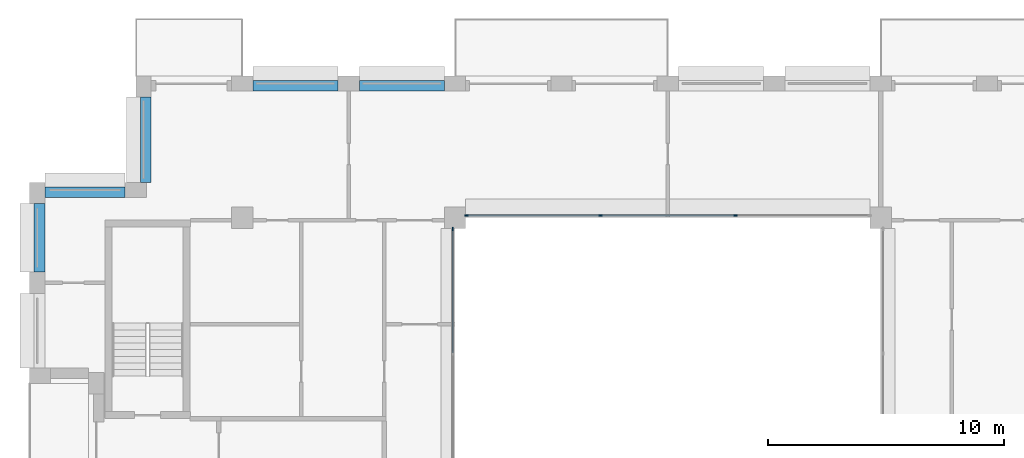
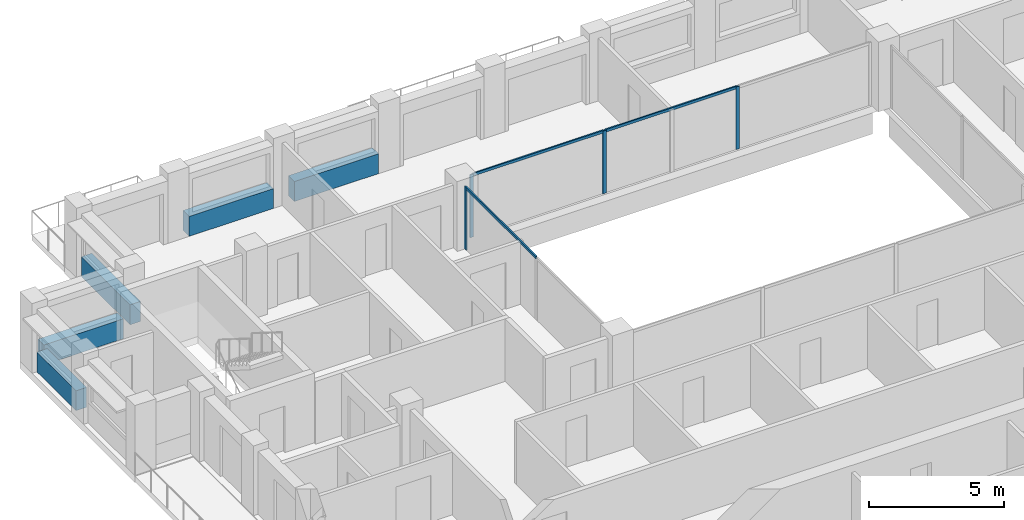
# One storey, part 5 of 15: 7 members, 5 beams, 2 elements without a shape of their own.
"""IFC4 building model written with IfcOpenShell, lengths in metres."""

from ifc_helpers import new_model, si_unit, direction, frame, origin, origin_2d, place, context, subcontext, project, spatial, rectangle, extrude, material, layer, layer_set, material_profile, profile_set, type_object, element, aggregate, save


model = new_model("IFC4")

# Units and contexts
model_context = context("Model", 3, precision=1e-05, world=origin(), true_north=direction((0.0, 1.0)))
body_context = subcontext(model_context, "Body", "Model", "MODEL_VIEW")
ifc_project = project(units=[si_unit("LENGTHUNIT", "METRE"), si_unit("AREAUNIT", "SQUARE_METRE"), si_unit("VOLUMEUNIT", "CUBIC_METRE"), si_unit("PLANEANGLEUNIT", "RADIAN"), si_unit("MASSUNIT", "GRAM", prefix="KILO")], contexts=[model_context])

# Site, building, storey
site_placement = place(None, origin())
site = spatial("IfcSite", under=ifc_project, at=site_placement, CompositionType="ELEMENT")
building_placement = place(site_placement, origin())
building = spatial("IfcBuilding", under=site, at=building_placement, Name="Brigalow Station Residences", CompositionType="ELEMENT")
storey_placement = place(building_placement, frame((0.0, 0.0, 207.449951171875)))
storey = spatial("IfcBuildingStorey", under=building, at=storey_placement, Name="L59", CompositionType="ELEMENT", Elevation=207.449951171875)

# Curtain wall, members
ifc_material_1 = material(Name="Aluminium", Category="aluminium")
ifc_layer = layer(ifc_material_1, 0.14990234375)
ifc_layer_set = layer_set([ifc_layer], Name="ATRIUM FIRE-RATED GLAZING CURTAIN WALL")
curtain_wall_type = type_object("IfcCurtainWallType", Name="ATRIUM FIRE-RATED GLAZING CURTAIN WALL", PredefinedType="NOTDEFINED", material=ifc_layer_set)
curtain_wall_1_placement = place(storey_placement, origin())
curtain_wall_1 = element("IfcCurtainWall", 1, at=curtain_wall_1_placement, inside=storey, type_object=curtain_wall_type, Name="L59/cw/atrium-N", PredefinedType="NOTDEFINED")
ifc_material_2 = material(Name="Aluminium", Category="aluminium")
ifc_material_profile_1 = material_profile(ifc_material_2, rectangle(XDim=0.06005859375, YDim=0.14990234375, at=origin_2d()), Name="ATRIUM FIRE-RATED GLAZING MULLION 60x150")
ifc_profile_set_1 = profile_set([ifc_material_profile_1], Name="Aluminium")
member_type_1 = type_object("IfcMemberType", Name="ATRIUM FIRE-RATED GLAZING MULLION 60x150", PredefinedType="MULLION", material=ifc_profile_set_1)
member_1_placement = place(storey_placement, frame((38.85009765625, 35.60009765625, 0.0), z_axis=(0.0, 0.0, 1.0), x_axis=(0.0, -1.0, 0.0)))
member_1 = element("IfcMember", 2, at=member_1_placement, type_object=member_type_1, Name="L59/cw/atrium-N/M01", PredefinedType="MULLION", context=body_context, shape_type="SweptSolid", body=[
    extrude(rectangle(XDim=0.06005859375, YDim=0.14990234375, at=origin_2d()), origin(), (0.0, 0.0, 1.0), 2.830078125),
])
member_2_placement = place(storey_placement, frame((33.14990234375, 35.60009765625, 0.0), z_axis=(0.0, 0.0, 1.0), x_axis=(0.0, -1.0, 0.0)))
member_2 = element("IfcMember", 3, at=member_2_placement, type_object=member_type_1, Name="L59/cw/atrium-N/M02", PredefinedType="MULLION", context=body_context, shape_type="SweptSolid", body=[
    extrude(rectangle(XDim=0.06005859375, YDim=0.14990234375, at=origin_2d()), origin(), (0.0, 0.0, 1.0), 2.830078125),
])
member_3_placement = place(storey_placement, frame((27.47998046875, 35.60009765625, 0.0), z_axis=(0.0, 0.0, 1.0), x_axis=(0.0, -1.0, 0.0)))
member_3 = element("IfcMember", 4, at=member_3_placement, type_object=member_type_1, Name="L59/cw/atrium-N/M03", PredefinedType="MULLION", context=body_context, shape_type="SweptSolid", body=[
    extrude(rectangle(XDim=0.06005859375, YDim=0.14990234375, at=origin_2d()), origin(), (0.0, 0.0, 1.0), 2.830078125),
])

# Curtain wall, member
curtain_wall_2_placement = place(storey_placement, origin())
curtain_wall_2 = element("IfcCurtainWall", 5, at=curtain_wall_2_placement, inside=storey, type_object=curtain_wall_type, Name="L59/cw/atrium-W", PredefinedType="NOTDEFINED")
member_4_placement = place(storey_placement, frame((26.89990234375, 35.02001953125, 0.0), z_axis=(0.0, 0.0, 1.0), x_axis=(1.0, 0.0, 0.0)))
member_4 = element("IfcMember", 6, at=member_4_placement, type_object=member_type_1, Name="L59/cw/atrium-W/M00", PredefinedType="MULLION", context=body_context, shape_type="SweptSolid", body=[
    extrude(rectangle(XDim=0.06005859375, YDim=0.14990234375, at=origin_2d()), origin(), (0.0, 0.0, 1.0), 2.830078125),
])

# Member
ifc_material_3 = material(Name="Aluminium", Category="aluminium")
ifc_material_profile_2 = material_profile(ifc_material_3, rectangle(XDim=0.06005859375, YDim=0.1201171875, at=origin_2d()), Name="ATRIUM FIRE-RATED GLAZING TRANSOM 60x120")
ifc_profile_set_2 = profile_set([ifc_material_profile_2], Name="Aluminium")
member_type_2 = type_object("IfcMemberType", Name="ATRIUM FIRE-RATED GLAZING TRANSOM 60x120", PredefinedType="USERDEFINED", material=ifc_profile_set_2)
member_5_placement = place(storey_placement, frame((38.820068359375, 35.60009765625, 2.800048828125), z_axis=(-1.0, 0.0, 0.0), x_axis=(0.0, -1.0, 0.0)))
member_5 = element("IfcMember", 7, at=member_5_placement, type_object=member_type_2, Name="L59/cw/atrium-N/T01-00", ObjectType="TRANSOM", PredefinedType="USERDEFINED", context=body_context, shape_type="SweptSolid", body=[
    extrude(rectangle(XDim=0.06005859375, YDim=0.1201171875, at=origin_2d()), origin(), (0.0, 0.0, 1.0), 5.64013671875),
])

member_6_placement = place(storey_placement, frame((33.1201171875, 35.60009765625, 2.800048828125), z_axis=(-1.0, 0.0, 0.0), x_axis=(0.0, -1.0, 0.0)))
member_6 = element("IfcMember", 8, at=member_6_placement, type_object=member_type_2, Name="L59/cw/atrium-N/T02-00", ObjectType="TRANSOM", PredefinedType="USERDEFINED", context=body_context, shape_type="SweptSolid", body=[
    extrude(rectangle(XDim=0.06005859375, YDim=0.1201171875, at=origin_2d()), origin(), (0.0, 0.0, 1.0), 5.610107421875),
])

aggregate(curtain_wall_1, [member_1, member_2, member_3, member_5, member_6])

member_7_placement = place(storey_placement, frame((26.89990234375, 34.989990234375, 2.800048828125), z_axis=(0.0, -1.0, 0.0), x_axis=(1.0, 0.0, 0.0)))
member_7 = element("IfcMember", 9, at=member_7_placement, type_object=member_type_2, Name="L59/cw/atrium-W/T00-00", ObjectType="TRANSOM", PredefinedType="USERDEFINED", context=body_context, shape_type="SweptSolid", body=[
    extrude(rectangle(XDim=0.06005859375, YDim=0.1201171875, at=origin_2d()), origin(), (0.0, 0.0, 1.0), 5.2099609375),
])

aggregate(curtain_wall_2, [member_4, member_7])

# Beams
ifc_material_4 = material(Name="Concrete C50", Category="concrete")
ifc_material_profile_3 = material_profile(ifc_material_4, rectangle(XDim=0.449951171875, YDim=0.89990234375, at=origin_2d()), Name="RC450x900")
ifc_profile_set_3 = profile_set([ifc_material_profile_3], Name="Concrete C50")
beam_type = type_object("IfcBeamType", Name="SPANDREL BEAM 450x900 C50", PredefinedType="SPANDREL", material=ifc_profile_set_3)
for number, where, z_axis, x_axis, name in (
    (10, (26.550048828125, 41.074951171875, 0.449951171875), (-1.0, 0.0, 0.0), (0.0, -1.0, 0.0), "L59/spandrel/W-L59-29"),
    (11, (22.050048828125, 41.074951171875, 0.449951171875), (-1.0, 0.0, 0.0), (0.0, -1.0, 0.0), "L59/spandrel/W-L59-30"),
    (12, (13.925048828125, 40.60009765625, 0.449951171875), (0.0, -1.0, 0.0), (1.0, 0.0, 0.0), "L59/spandrel/W-L59-32"),
):
    element("IfcBeam", number, at=place(storey_placement, frame(where, z_axis=z_axis, x_axis=x_axis)), inside=storey, type_object=beam_type, Name=name, PredefinedType="SPANDREL", context=body_context, shape_type="SweptSolid", body=[
        extrude(rectangle(XDim=0.449951171875, YDim=0.89990234375, at=origin_2d()), origin(), (0.0, 0.0, 1.0), 3.60009765625),
    ])
beam_1_placement = place(storey_placement, frame((13.050048828125, 36.574951171875, 0.449951171875), z_axis=(-1.0, 0.0, 0.0), x_axis=(0.0, -1.0, 0.0)))
element("IfcBeam", 13, at=beam_1_placement, inside=storey, type_object=beam_type, Name="L59/spandrel/W-L59-33", PredefinedType="SPANDREL", context=body_context, shape_type="SweptSolid", body=[
    extrude(rectangle(XDim=0.449951171875, YDim=0.89990234375, at=origin_2d()), origin(), (0.0, 0.0, 1.0), 3.400146484375),
])
beam_2_placement = place(storey_placement, frame((9.425048828125, 36.10009765625, 0.449951171875), z_axis=(0.0, -1.0, 0.0), x_axis=(1.0, 0.0, 0.0)))
element("IfcBeam", 14, at=beam_2_placement, inside=storey, type_object=beam_type, Name="L59/spandrel/W-L59-34", PredefinedType="SPANDREL", context=body_context, shape_type="SweptSolid", body=[
    extrude(rectangle(XDim=0.449951171875, YDim=0.89990234375, at=origin_2d()), origin(), (0.0, 0.0, 1.0), 2.900146484375),
])

save(model, "model.ifc")
